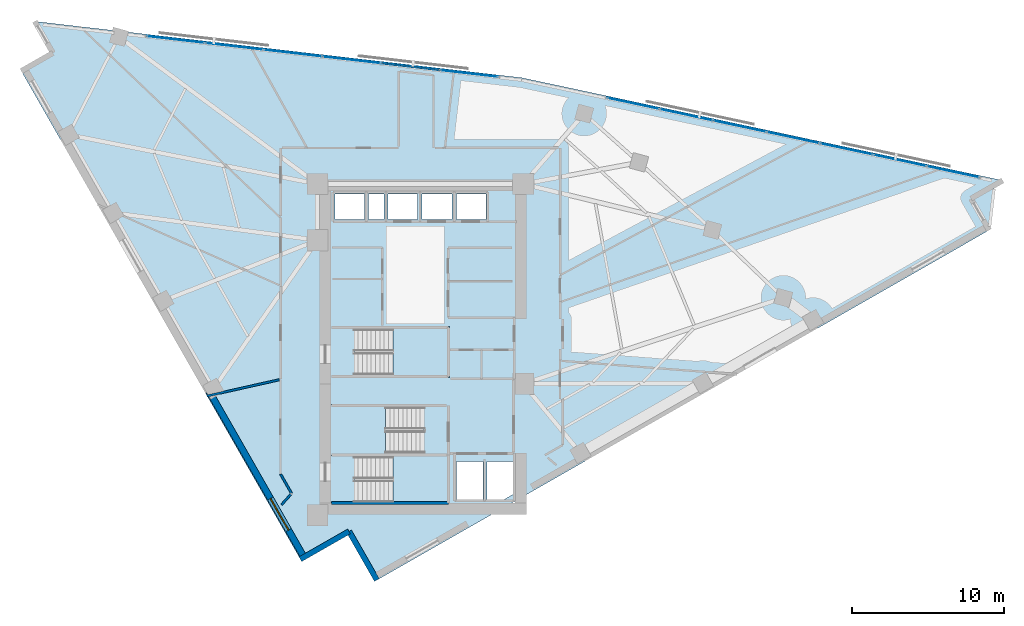
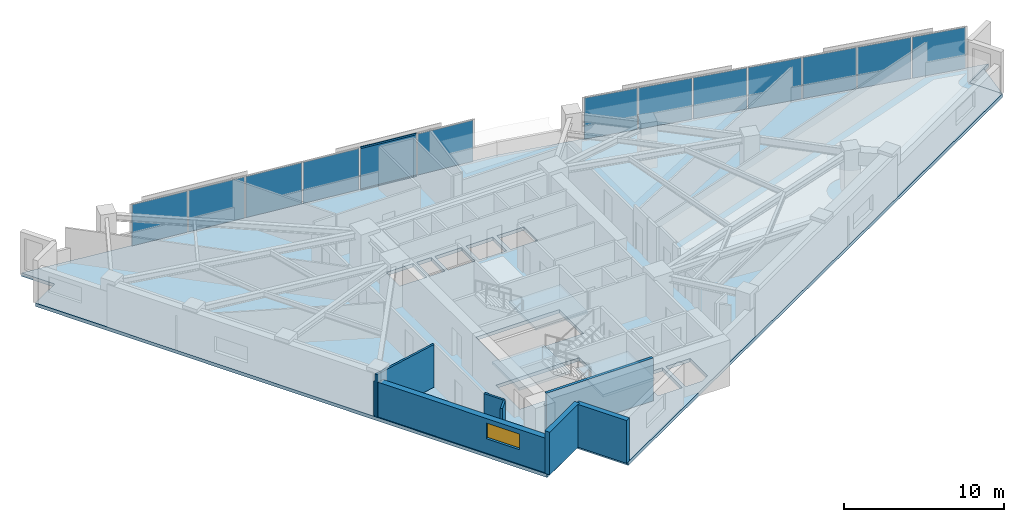
# One storey, part 8 of 14: 13 plates, 7 walls, 5 slabs, 2 members, 1 window, 1 opening, 5 elements without a shape of their own.
"""IFC4 building model written with IfcOpenShell, lengths in metres."""

from ifc_helpers import new_model, si_unit, direction, frame, frame_2d, origin, origin_2d, place, context, subcontext, project, spatial, polyline, rectangle, hollow_rectangle, outline, extrude, material, layer, layer_set, material_profile, profile_set, type_object, element, fill, aggregate, save


model = new_model("IFC4")

# Units and contexts
model_context = context("Model", 3, precision=1e-05, world=origin(), true_north=direction((0.0, 1.0)))
body_context = subcontext(model_context, "Body", "Model", "MODEL_VIEW")
ifc_project = project(units=[si_unit("LENGTHUNIT", "METRE"), si_unit("AREAUNIT", "SQUARE_METRE"), si_unit("VOLUMEUNIT", "CUBIC_METRE"), si_unit("PLANEANGLEUNIT", "RADIAN"), si_unit("MASSUNIT", "GRAM", prefix="KILO")], contexts=[model_context])

# Site, building, storey
site_placement = place(None, origin())
site = spatial("IfcSite", under=ifc_project, at=site_placement, CompositionType="ELEMENT")
building_placement = place(site_placement, origin())
building = spatial("IfcBuilding", under=site, at=building_placement, Name="Narakoshi Arena Tower", CompositionType="ELEMENT")
storey_placement = place(building_placement, frame((0.0, 0.0, 218.5)))
storey = spatial("IfcBuildingStorey", under=building, at=storey_placement, Name="L59", CompositionType="ELEMENT", Elevation=218.5)

# Curtain wall, members
ifc_material_1 = material(Name="Anodised bronze aluminium 6063-T6", Category="aluminium")
curtain_wall_type = type_object("IfcCurtainWallType", Name="CW-HYP-MID", PredefinedType="NOTDEFINED", material=ifc_material_1)
curtain_wall_1_placement = place(storey_placement, origin())
curtain_wall_1 = element("IfcCurtainWall", 1, at=curtain_wall_1_placement, inside=storey, type_object=curtain_wall_type, Name="L59 Folded Hypotenuse Curtain Wall 2-1", PredefinedType="NOTDEFINED")
ifc_material_profile = material_profile(ifc_material_1, hollow_rectangle(XDim=0.06494140625, YDim=0.1298828125, WallThickness=0.00390625, OuterFilletRadius=0.0048828125, at=origin_2d()), Name="TRN130x65x4")
ifc_profile_set = profile_set([ifc_material_profile], Name="Anodised bronze aluminium 6063-T6")
member_type = type_object("IfcMemberType", Name="MEM-TRN-130", PredefinedType="USERDEFINED", material=ifc_profile_set)
member_1_placement = place(storey_placement, frame((80.032470703125, 64.002685546875, 0.032470703125), z_axis=(-0.993360986362, 0.115038909828, 0.0), x_axis=(-0.115038909828, -0.993360986362, 0.0)))
member_1 = element("IfcMember", 2, at=member_1_placement, type_object=member_type, Name="CW-02 transom 2.1", ObjectType="TRANSOM", PredefinedType="USERDEFINED", context=body_context, shape_type="SweptSolid", body=[
    extrude(hollow_rectangle(XDim=0.06494140625, YDim=0.1298828125, WallThickness=0.00390625, OuterFilletRadius=0.0048828125, at=origin_2d()), origin(), (0.0, 0.0, 1.0), 3.820068359375),
])
member_2_placement = place(storey_placement, frame((80.032470703125, 64.002685546875, 3.2275390625), z_axis=(-0.993360986362, 0.115038909828, 0.0), x_axis=(-0.115038909828, -0.993360986362, 0.0)))
member_2 = element("IfcMember", 3, at=member_2_placement, type_object=member_type, Name="CW-02 transom 2.2", ObjectType="TRANSOM", PredefinedType="USERDEFINED", context=body_context, shape_type="SweptSolid", body=[
    extrude(hollow_rectangle(XDim=0.06494140625, YDim=0.1298828125, WallThickness=0.00390625, OuterFilletRadius=0.0048828125, at=origin_2d()), origin(), (0.0, 0.0, 1.0), 3.820068359375),
])

# Curtain wall, plates
curtain_wall_2_placement = place(storey_placement, origin())
curtain_wall_2 = element("IfcCurtainWall", 4, at=curtain_wall_2_placement, inside=storey, type_object=curtain_wall_type, Name="L59 Folded Hypotenuse Curtain Wall 1-1", PredefinedType="NOTDEFINED")
ifc_material_2 = material(Name="Bronze-tinted low-E laminated glass", Category="glass")
ifc_layer_1 = layer(ifc_material_2, 0.0380859375)
ifc_layer_set_1 = layer_set([ifc_layer_1], Name="Bronze-tinted low-E laminated glass")
plate_type = type_object("IfcPlateType", Name="PLT-GLZ-38", PredefinedType="CURTAIN_PANEL", material=ifc_layer_set_1)
plate_1_placement = place(storey_placement, frame((113.835205078125, 57.3095703125, 0.06494140625), z_axis=(0.0, 0.0, 1.0), x_axis=(-0.977937185914, 0.208899163248, 0.0)))
plate_1 = element("IfcPlate", 5, at=plate_1_placement, type_object=plate_type, Name="CW-02 panel 1.1", PredefinedType="CURTAIN_PANEL", context=body_context, shape_type="SweptSolid", body=[
    extrude(rectangle(XDim=3.48095703125, YDim=0.0380859375, at=origin_2d()), origin(), (0.0, 0.0, 1.0), 3.1298828125),
])
plate_2_placement = place(storey_placement, frame((110.33935546875, 58.056396484375, 0.06494140625), z_axis=(0.0, 0.0, 1.0), x_axis=(-0.977937185914, 0.208899163248, 0.0)))
plate_2 = element("IfcPlate", 6, at=plate_2_placement, type_object=plate_type, Name="CW-02 panel 2.1", PredefinedType="CURTAIN_PANEL", context=body_context, shape_type="SweptSolid", body=[
    extrude(rectangle(XDim=3.518310546875, YDim=0.0380859375, at=origin_2d()), origin(), (0.0, 0.0, 1.0), 3.1298828125),
])
plate_3_placement = place(storey_placement, frame((106.8251953125, 58.806884765625, 0.06494140625), z_axis=(0.0, 0.0, 1.0), x_axis=(-0.977937185914, 0.208899163248, 0.0)))
plate_3 = element("IfcPlate", 7, at=plate_3_placement, type_object=plate_type, Name="CW-02 panel 3.1", PredefinedType="CURTAIN_PANEL", context=body_context, shape_type="SweptSolid", body=[
    extrude(rectangle(XDim=3.518310546875, YDim=0.0380859375, at=origin_2d()), origin(), (0.0, 0.0, 1.0), 3.1298828125),
])
plate_4_placement = place(storey_placement, frame((103.31103515625, 59.5576171875, 0.06494140625), z_axis=(0.0, 0.0, 1.0), x_axis=(-0.977937185914, 0.208899163248, 0.0)))
plate_4 = element("IfcPlate", 8, at=plate_4_placement, type_object=plate_type, Name="CW-02 panel 4.1", PredefinedType="CURTAIN_PANEL", context=body_context, shape_type="SweptSolid", body=[
    extrude(rectangle(XDim=3.518310546875, YDim=0.0380859375, at=origin_2d()), origin(), (0.0, 0.0, 1.0), 3.1298828125),
])
plate_5_placement = place(storey_placement, frame((99.796875, 60.308349609375, 0.06494140625), z_axis=(0.0, 0.0, 1.0), x_axis=(-0.977937185914, 0.208899163248, 0.0)))
plate_5 = element("IfcPlate", 9, at=plate_5_placement, type_object=plate_type, Name="CW-02 panel 5.1", PredefinedType="CURTAIN_PANEL", context=body_context, shape_type="SweptSolid", body=[
    extrude(rectangle(XDim=3.518310546875, YDim=0.0380859375, at=origin_2d()), origin(), (0.0, 0.0, 1.0), 3.1298828125),
])
plate_6_placement = place(storey_placement, frame((96.282958984375, 61.058837890625, 0.06494140625), z_axis=(0.0, 0.0, 1.0), x_axis=(-0.977937185914, 0.208899163248, 0.0)))
plate_6 = element("IfcPlate", 10, at=plate_6_placement, type_object=plate_type, Name="CW-02 panel 6.1", PredefinedType="CURTAIN_PANEL", context=body_context, shape_type="SweptSolid", body=[
    extrude(rectangle(XDim=3.518310546875, YDim=0.0380859375, at=origin_2d()), origin(), (0.0, 0.0, 1.0), 3.1298828125),
])
plate_7_placement = place(storey_placement, frame((92.787109375, 61.8056640625, 0.06494140625), z_axis=(0.0, 0.0, 1.0), x_axis=(-0.977937185914, 0.208899163248, 0.0)))
plate_7 = element("IfcPlate", 11, at=plate_7_placement, type_object=plate_type, Name="CW-02 panel 7.1", PredefinedType="CURTAIN_PANEL", context=body_context, shape_type="SweptSolid", body=[
    extrude(rectangle(XDim=3.48095703125, YDim=0.0380859375, at=origin_2d()), origin(), (0.0, 0.0, 1.0), 3.1298828125),
])
aggregate(curtain_wall_2, [plate_1, plate_2, plate_3, plate_4, plate_5, plate_6, plate_7])

# Plate
plate_8_placement = place(storey_placement, frame((81.985595703125, 63.776611328125, 0.06494140625), z_axis=(0.0, 0.0, 1.0), x_axis=(-0.993364183774, 0.115011296816, 0.0)))
plate_8 = element("IfcPlate", 12, at=plate_8_placement, type_object=plate_type, Name="CW-02 panel 1.1", PredefinedType="CURTAIN_PANEL", context=body_context, shape_type="SweptSolid", body=[
    extrude(rectangle(XDim=3.782470703125, YDim=0.0380859375, at=origin_2d()), origin(), (0.0, 0.0, 1.0), 3.1298828125),
])

plate_9_placement = place(storey_placement, frame((78.13525390625, 64.222412109375, 0.06494140625), z_axis=(0.0, 0.0, 1.0), x_axis=(-0.993364183774, 0.115011296816, 0.0)))
plate_9 = element("IfcPlate", 13, at=plate_9_placement, type_object=plate_type, Name="CW-02 panel 2.1", PredefinedType="CURTAIN_PANEL", context=body_context, shape_type="SweptSolid", body=[
    extrude(rectangle(XDim=3.820068359375, YDim=0.0380859375, at=origin_2d()), origin(), (0.0, 0.0, 1.0), 3.1298828125),
])

plate_10_placement = place(storey_placement, frame((74.26611328125, 64.67041015625, 0.06494140625), z_axis=(0.0, 0.0, 1.0), x_axis=(-0.993364183774, 0.115011296816, 0.0)))
plate_10 = element("IfcPlate", 14, at=plate_10_placement, type_object=plate_type, Name="CW-02 panel 3.1", PredefinedType="CURTAIN_PANEL", context=body_context, shape_type="SweptSolid", body=[
    extrude(rectangle(XDim=3.820068359375, YDim=0.0380859375, at=origin_2d()), origin(), (0.0, 0.0, 1.0), 3.1298828125),
])

plate_11_placement = place(storey_placement, frame((70.39697265625, 65.118408203125, 0.06494140625), z_axis=(0.0, 0.0, 1.0), x_axis=(-0.993364183774, 0.115011296816, 0.0)))
plate_11 = element("IfcPlate", 15, at=plate_11_placement, type_object=plate_type, Name="CW-02 panel 4.1", PredefinedType="CURTAIN_PANEL", context=body_context, shape_type="SweptSolid", body=[
    extrude(rectangle(XDim=3.820068359375, YDim=0.0380859375, at=origin_2d()), origin(), (0.0, 0.0, 1.0), 3.1298828125),
])

plate_12_placement = place(storey_placement, frame((66.52783203125, 65.56640625, 0.06494140625), z_axis=(0.0, 0.0, 1.0), x_axis=(-0.993364183774, 0.115011296816, 0.0)))
plate_12 = element("IfcPlate", 16, at=plate_12_placement, type_object=plate_type, Name="CW-02 panel 5.1", PredefinedType="CURTAIN_PANEL", context=body_context, shape_type="SweptSolid", body=[
    extrude(rectangle(XDim=3.820068359375, YDim=0.0380859375, at=origin_2d()), origin(), (0.0, 0.0, 1.0), 3.1298828125),
])

plate_13_placement = place(storey_placement, frame((62.67724609375, 66.01220703125, 0.06494140625), z_axis=(0.0, 0.0, 1.0), x_axis=(-0.993364183774, 0.115011296816, 0.0)))
plate_13 = element("IfcPlate", 17, at=plate_13_placement, type_object=plate_type, Name="CW-02 panel 6.1", PredefinedType="CURTAIN_PANEL", context=body_context, shape_type="SweptSolid", body=[
    extrude(rectangle(XDim=3.782470703125, YDim=0.0380859375, at=origin_2d()), origin(), (0.0, 0.0, 1.0), 3.1298828125),
])

aggregate(curtain_wall_1, [plate_8, member_1, member_2, plate_9, plate_10, plate_11, plate_12, plate_13])

# Stair, slab
ifc_material_3 = material(Name="Concrete C45/55", Category="concrete")
stair_type = type_object("IfcStairType", Name="STR-CORE-352", PredefinedType="TWO_STRAIGHT_RUN_STAIR", material=ifc_material_3)
stair_1_placement = place(storey_placement, origin())
stair_1 = element("IfcStair", 18, at=stair_1_placement, inside=storey, type_object=stair_type, Name="L59 Core Escape Stair ST1", PredefinedType="TWO_STRAIGHT_RUN_STAIR")
ifc_layer_2 = layer(ifc_material_3, 0.18994140625)
ifc_layer_set_2 = layer_set([ifc_layer_2], Name="Concrete C45/55")
slab_type_1 = type_object("IfcSlabType", Name="SLB-LND-190", PredefinedType="LANDING", material=ifc_layer_set_2)
slab_1_placement = place(storey_placement, frame((0.0, 0.0, 1.570068359375)))
slab_1 = element("IfcSlab", 19, at=slab_1_placement, type_object=slab_type_1, Name="ST1 landing 1", PredefinedType="LANDING", context=body_context, shape_type="SweptSolid", body=[
    extrude(outline(polyline([(76.965087890625, 35.3701171875), (80.679931640625, 35.3701171875), (80.679931640625, 38.72998046875), (76.965087890625, 38.72998046875), (76.965087890625, 35.3701171875)])), origin(), (0.0, 0.0, 1.0), 0.18994140625),
])
aggregate(stair_1, [slab_1])

stair_2_placement = place(storey_placement, origin())
stair_2 = element("IfcStair", 20, at=stair_2_placement, inside=storey, type_object=stair_type, Name="L59 Core Escape Stair ST2", PredefinedType="TWO_STRAIGHT_RUN_STAIR")
slab_2_placement = place(storey_placement, frame((0.0, 0.0, 1.570068359375)))
slab_2 = element("IfcSlab", 21, at=slab_2_placement, type_object=slab_type_1, Name="ST2 landing 1", PredefinedType="LANDING", context=body_context, shape_type="SweptSolid", body=[
    extrude(outline(polyline([(72.77001953125, 38.6201171875), (76.485107421875, 38.6201171875), (76.485107421875, 41.97998046875), (72.77001953125, 41.97998046875), (72.77001953125, 38.6201171875)])), origin(), (0.0, 0.0, 1.0), 0.18994140625),
])
aggregate(stair_2, [slab_2])

stair_3_placement = place(storey_placement, origin())
stair_3 = element("IfcStair", 22, at=stair_3_placement, inside=storey, type_object=stair_type, Name="L59 Core Escape Stair ST3", PredefinedType="TWO_STRAIGHT_RUN_STAIR")
slab_3_placement = place(storey_placement, frame((0.0, 0.0, 1.570068359375)))
slab_3 = element("IfcSlab", 23, at=slab_3_placement, type_object=slab_type_1, Name="ST3 landing 1", PredefinedType="LANDING", context=body_context, shape_type="SweptSolid", body=[
    extrude(outline(polyline([(76.965087890625, 43.77001953125), (80.679931640625, 43.77001953125), (80.679931640625, 47.1298828125), (76.965087890625, 47.1298828125), (76.965087890625, 43.77001953125)])), origin(), (0.0, 0.0, 1.0), 0.18994140625),
])
aggregate(stair_3, [slab_3])

# Slabs
ifc_material_4 = material(Name="Concrete C50/60", Category="concrete")
ifc_layer_3 = layer(ifc_material_4, 0.260009765625)
ifc_layer_set_3 = layer_set([ifc_layer_3], Name="Concrete C50/60")
slab_type_2 = type_object("IfcSlabType", Name="SLB-SKY-260", PredefinedType="FLOOR", material=ifc_layer_set_3)
slab_4_placement = place(storey_placement, frame((0.0, 0.0, -0.260009765625)))
element("IfcSlab", 24, at=slab_4_placement, inside=storey, type_object=slab_type_2, Name="L59 Structural Floor Slab", PredefinedType="FLOOR", context=body_context, shape_type="SweptSolid", body=[
    extrude(outline(polyline([(75.915771484375, 30.43017578125), (116.209716796875, 53.460205078125), (115.01904296875, 55.54345703125), (117.1025390625, 56.734375), (85.442626953125, 63.497314453125), (53.408203125, 67.2060546875), (54.59912109375, 65.122802734375), (52.515625, 63.931884765625), (70.87841796875, 31.803466796875), (74.083740234375, 33.635498046875), (75.915771484375, 30.43017578125)]), holes=[polyline([(80.5, 35.550048828125), (74.47998046875, 35.550048828125), (74.47998046875, 38.550048828125), (80.5, 38.550048828125), (80.5, 35.550048828125)]), polyline([(82.89990234375, 35.75), (81.14990234375, 35.75), (81.14990234375, 38.25), (82.89990234375, 38.25), (82.89990234375, 35.75)]), polyline([(84.89990234375, 36.08349609375), (84.316650390625, 35.75), (83.14990234375, 35.75), (83.14990234375, 38.25), (84.89990234375, 38.25), (84.89990234375, 36.08349609375)]), polyline([(72.949951171875, 38.800048828125), (72.949951171875, 41.800048828125), (78.969970703125, 41.800048828125), (78.969970703125, 38.800048828125), (72.949951171875, 38.800048828125)]), polyline([(74.47998046875, 43.949951171875), (74.47998046875, 46.949951171875), (80.5, 46.949951171875), (80.5, 43.949951171875), (74.47998046875, 43.949951171875)]), polyline([(75.10009765625, 54.14990234375), (73.14990234375, 54.14990234375), (73.14990234375, 55.85009765625), (75.10009765625, 55.85009765625), (75.10009765625, 54.14990234375)]), polyline([(76.39990234375, 54.14990234375), (75.35009765625, 54.14990234375), (75.35009765625, 55.85009765625), (76.39990234375, 55.85009765625), (76.39990234375, 54.14990234375)]), polyline([(78.60009765625, 54.14990234375), (76.64990234375, 54.14990234375), (76.64990234375, 55.85009765625), (78.60009765625, 55.85009765625), (78.60009765625, 54.14990234375)]), polyline([(78.89990234375, 54.14990234375), (78.89990234375, 55.85009765625), (80.85009765625, 55.85009765625), (80.85009765625, 54.14990234375), (78.89990234375, 54.14990234375)]), polyline([(81.14990234375, 54.14990234375), (81.14990234375, 55.85009765625), (83.10009765625, 55.85009765625), (83.10009765625, 54.14990234375), (81.14990234375, 54.14990234375)])]), origin(), (0.0, 0.0, 1.0), 0.260009765625),
])
ifc_layer_4 = layer(ifc_material_3, 0.239990234375)
ifc_layer_set_4 = layer_set([ifc_layer_4], Name="Concrete C45/55")
slab_type_3 = type_object("IfcSlabType", Name="SLB-TERR-240", PredefinedType="ROOF", material=ifc_layer_set_4)
slab_5_placement = place(storey_placement, frame((0.0, 0.0, -0.239990234375)))
element("IfcSlab", 25, at=slab_5_placement, inside=storey, type_object=slab_type_3, Name="L59 Corner Notch Loggia Balcony Slab", PredefinedType="ROOF", context=body_context, shape_type="SweptSolid", body=[
    extrude(outline(polyline([(116.56103515625, 56.422119140625), (115.02197265625, 55.54296875), (116.2099609375, 53.462890625), (116.56103515625, 56.422119140625)])), origin(), (0.0, 0.0, 1.0), 0.239990234375),
])

# Wall, opening, window
ifc_material_5 = material(Name="Precast concrete C45/55", Category="concrete")
ifc_layer_5 = layer(ifc_material_5, 0.419921875)
ifc_layer_set_5 = layer_set([ifc_layer_5], Name="Precast concrete C45/55")
wall_type_1 = type_object("IfcWallType", Name="WL-POD-420", PredefinedType="SOLIDWALL", material=ifc_layer_set_5)
wall_1_placement = place(storey_placement, frame((64.873779296875, 42.863525390625, 0.0), z_axis=(0.0, 0.0, 1.0), x_axis=(0.49622043329, -0.868196568517, 0.0)))
wall_1 = element("IfcWall", 26, at=wall_1_placement, inside=storey, type_object=wall_type_1, Name="L59 Architectural Concrete Facade Wall LEGB-3", PredefinedType="SOLIDWALL", context=body_context, shape_type="SweptSolid", body=[
    extrude(rectangle(XDim=12.58203125, YDim=0.419921875, at=frame_2d((6.291015625, 0.0))), origin(), (0.0, 0.0, 1.0), 2.64501953125),
])
opening_placement = place(wall_1_placement, frame((8.135986328125, 0.0, 1.10009765625)))
opening = element("IfcOpeningElement", 27, at=opening_placement, cuts=wall_1, Name="Opening WN-04", PredefinedType="OPENING", context=body_context, shape_type="SweptSolid", body=[
    extrude(rectangle(XDim=2.39990234375, YDim=1.199951171875, at=frame_2d((1.199951171875, 0.60009765625))), frame((0.0, 0.219970703125, 0.0), z_axis=(0.0, -1.0, 0.0), x_axis=(1.0, 0.0, 0.0)), (0.0, 0.0, 1.0), 0.43994140625),
])
window_type = type_object("IfcWindowType", Name="WIN-SLT-24x12", PartitioningType="SINGLE_PANEL", PredefinedType="WINDOW", material=ifc_material_2)
window_placement = place(opening_placement, origin())
window = element("IfcWindow", 28, at=window_placement, inside=storey, type_object=window_type, Name="L59 LEGB3 Horizontal Slot Window 1", OverallHeight=1.199951171875, OverallWidth=2.39990234375, PartitioningType="SINGLE_PANEL", PredefinedType="WINDOW", context=body_context, shape_type="SweptSolid", body=[
    extrude(rectangle(XDim=2.39990234375, YDim=1.199951171875, at=frame_2d((1.199951171875, 0.60009765625))), frame((0.0, 0.030029296875, 0.0), z_axis=(0.0, -1.0, 0.0), x_axis=(1.0, 0.0, 0.0)), (0.0, 0.0, 1.0), 0.06005859375),
])
fill(opening, window)

# Walls
for number, where, z_axis, x_axis, name in (
    (29, (70.87841796875, 31.803466796875, 0.0), (0.0, 0.0, 1.0), (0.868194304946, 0.496224393656, 0.0), "L59 Re-Entrant Corner Notch Wall NTA-1"),
    (30, (74.083740234375, 33.635498046875, 0.0), (0.0, 0.0, 1.0), (0.496224393656, -0.868194304946, 0.0), "L59 Re-Entrant Corner Notch Wall NTA-2"),
):
    element("IfcWall", number, at=place(storey_placement, frame(where, z_axis=z_axis, x_axis=x_axis)), inside=storey, type_object=wall_type_1, Name=name, PredefinedType="SOLIDWALL", context=body_context, shape_type="SweptSolid", body=[
        extrude(rectangle(XDim=3.69189453125, YDim=0.360107421875, at=frame_2d((1.845947265625, 0.0))), origin(), (0.0, 0.0, 1.0), 3.260009765625),
    ])
ifc_layer_6 = layer(ifc_material_4, 0.35009765625)
ifc_layer_set_6 = layer_set([ifc_layer_6], Name="Concrete C50/60")
wall_type_2 = type_object("IfcWallType", Name="WL-SHAFT-350", PredefinedType="SOLIDWALL", material=ifc_layer_set_6)
wall_2_placement = place(storey_placement, frame((72.919921875, 35.52001953125, -0.260009765625), z_axis=(0.0, 0.0, 1.0), x_axis=(1.0, 0.0, 0.0)))
element("IfcWall", 31, at=wall_2_placement, inside=storey, type_object=wall_type_2, Name="L59 Core Wall ST1-S", PredefinedType="SOLIDWALL", context=body_context, shape_type="SweptSolid", body=[
    extrude(rectangle(XDim=7.7001953125, YDim=0.199951171875, at=frame_2d((3.85009765625, 0.0))), origin(), (0.0, 0.0, 1.0), 3.52001953125),
])
ifc_material_6 = material(Name="Moisture-resistant cement-board partition")
ifc_layer_7 = layer(ifc_material_6, 0.14501953125)
ifc_layer_set_7 = layer_set([ifc_layer_7], Name="Moisture-resistant cement-board partition")
wall_type_3 = type_object("IfcWallType", Name="WL-WET-145", PredefinedType="PARTITIONING", material=ifc_layer_set_7)
wall_3_placement = place(storey_placement, frame((69.577880859375, 37.404296875, 0.0), z_axis=(0.0, 0.0, 1.0), x_axis=(0.496138938357, -0.868243142124, 0.0)))
element("IfcWall", 32, at=wall_3_placement, inside=storey, type_object=wall_type_3, Name="L59 Corridor Partition 01-2", PredefinedType="PARTITIONING", context=body_context, shape_type="SweptSolid", body=[
    extrude(rectangle(XDim=1.46435546875, YDim=0.14501953125, at=frame_2d((0.732177734375, 0.0))), origin(), (0.0, 0.0, 1.0), 3.260009765625),
])
wall_4_placement = place(storey_placement, frame((64.736572265625, 42.549560546875, 0.0), z_axis=(0.0, 0.0, 1.0), x_axis=(0.975737216423, 0.218944934829, 0.0)))
element("IfcWall", 33, at=wall_4_placement, inside=storey, type_object=wall_type_3, Name="L59 Inter-Room Partition 01-09", PredefinedType="PARTITIONING", context=body_context, shape_type="SweptSolid", body=[
    extrude(rectangle(XDim=4.875, YDim=0.14501953125, at=frame_2d((2.4375, 0.0))), origin(), (0.0, 0.0, 1.0), 3.260009765625),
])
wall_5_placement = place(storey_placement, frame((70.26220703125, 36.085693359375, 0.0), z_axis=(0.0, 0.0, 1.0), x_axis=(-0.667299757436, -0.744789254572, 0.0)))
element("IfcWall", 34, at=wall_5_placement, inside=storey, type_object=wall_type_3, Name="L59 Room Enclosure Partition 01-1", PredefinedType="PARTITIONING", context=body_context, shape_type="SweptSolid", body=[
    extrude(rectangle(XDim=0.9326171875, YDim=0.14501953125, at=frame_2d((0.46630859375, 0.0))), origin(), (0.0, 0.0, 1.0), 3.260009765625),
])

save(model, "model.ifc")
